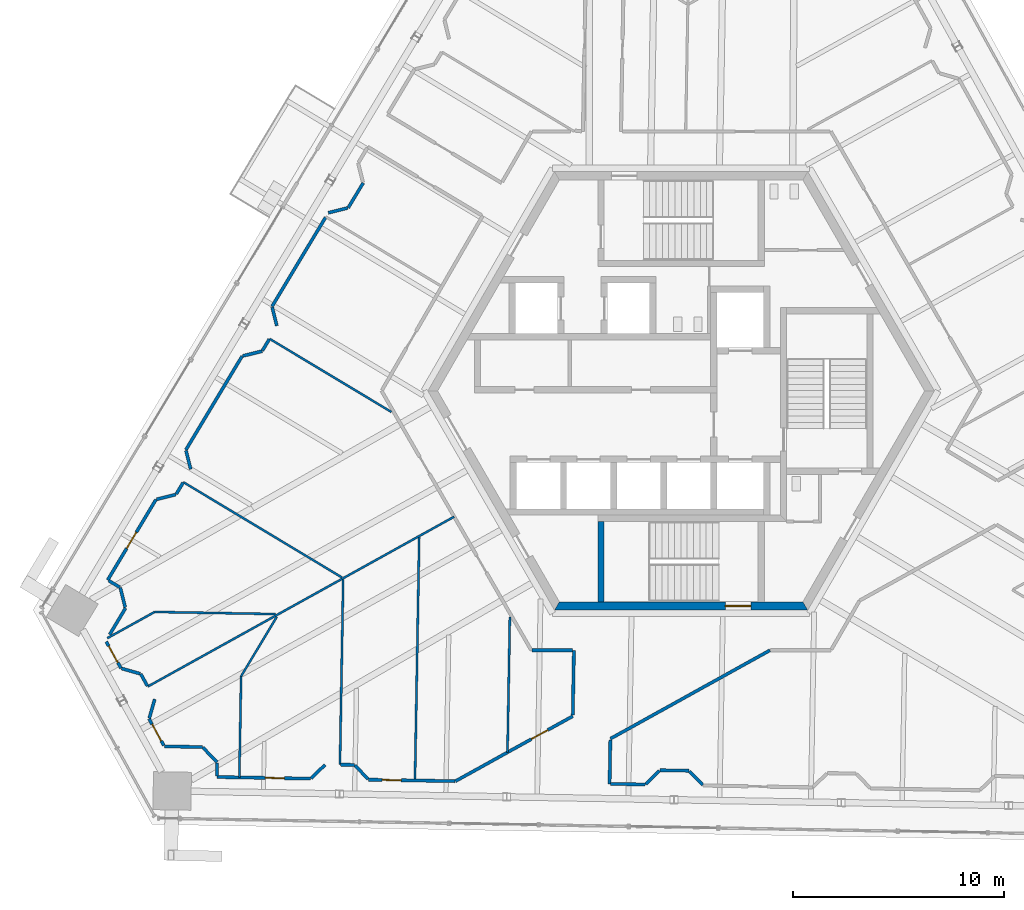
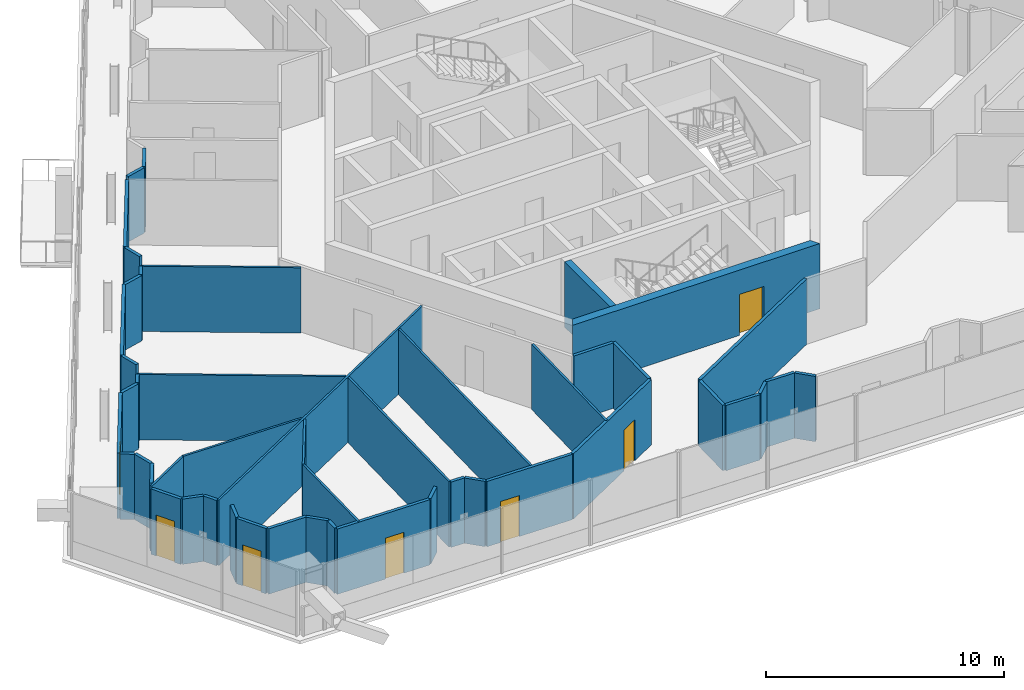
# One storey, part 15 of 24: 48 walls, 7 doors, 7 openings.
"""IFC4 building model written with IfcOpenShell, lengths in metres."""

import ifcopenshell
import ifcopenshell.guid

model = None  # the IFC model being written
_history = None  # IfcOwnerHistory: only IFC2X3 demands one
_inside = {}  # id of a spatial element -> (the spatial element, [elements in it])
_under = {}  # id of a project, library or spatial element -> (it, [spatial elements below it])
_declared = {}  # id of a project -> (the project, [libraries it declares])
_typed = {}  # id of a type object -> (the type object, [elements of that type])
_made_of = {}  # id of a material, layer set ... -> (it, [elements and type objects made of it])


def new_model(schema):
    """Start an empty IFC model of exactly this schema.

    Asked for "IFC4X3", IfcOpenShell would pick the latest addendum, in which some entities
    have other attributes; the version numbers below select the first issue.
    IFC2X3 requires an IfcOwnerHistory on every rooted entity: one is made here for all.
    """
    global model, _history
    if schema == "IFC4X3":
        model = ifcopenshell.file(schema_version=(4, 3, 0, 0))
    else:
        model = ifcopenshell.file(schema=schema)
    _inside.clear()
    _under.clear()
    _declared.clear()
    _typed.clear()
    _made_of.clear()
    _history = None
    if model.schema == "IFC2X3":
        org = make("IfcOrganization", Name="unknown")
        user = make(
            "IfcPersonAndOrganization",
            ThePerson=make("IfcPerson", FamilyName="unknown"),
            TheOrganization=org,
        )
        app = make(
            "IfcApplication",
            ApplicationDeveloper=org,
            Version="unknown",
            ApplicationFullName="unknown",
            ApplicationIdentifier="unknown",
        )
        _history = make(
            "IfcOwnerHistory",
            OwningUser=user,
            OwningApplication=app,
            ChangeAction="ADDED",
            CreationDate=0,
        )
    return model


def make(cls, **values):
    """One entity of the class cls with the attributes given. An attribute that is None is left unset."""
    return model.create_entity(
        cls, **{name: value for name, value in values.items() if value is not None}
    )


def rooted(cls, **values):
    """An entity with a GlobalId (a new one), such as an element, a storey or a relation."""
    return make(cls, GlobalId=ifcopenshell.guid.new(), OwnerHistory=_history, **values)


def si_unit(unit_type, name, prefix=None):
    """IfcSIUnit, for example si_unit("LENGTHUNIT", "METRE", prefix="MILLI")."""
    return make("IfcSIUnit", UnitType=unit_type, Prefix=prefix, Name=name)


def assignment(units):
    """IfcUnitAssignment: the units of a project."""
    return None if units is None else make("IfcUnitAssignment", Units=units)


def point(xyz):
    """IfcCartesianPoint."""
    return None if xyz is None else make("IfcCartesianPoint", Coordinates=xyz)


def direction(xyz):
    """IfcDirection."""
    return None if xyz is None else make("IfcDirection", DirectionRatios=xyz)


def frame(location, z_axis=None, x_axis=None):
    """IfcAxis2Placement3D, a coordinate frame: its origin and axes. An axis left out is left unset."""
    return make(
        "IfcAxis2Placement3D",
        Location=point(location),
        Axis=direction(z_axis),
        RefDirection=direction(x_axis),
    )


def frame_2d(location, x_axis=None):
    """IfcAxis2Placement2D, a coordinate frame in the plane: its origin and x axis."""
    return make(
        "IfcAxis2Placement2D", Location=point(location), RefDirection=direction(x_axis)
    )


def origin():
    """The frame at (0, 0, 0) with its axes left unset."""
    return frame((0.0, 0.0, 0.0))


def place(relative_to, where):
    """IfcLocalPlacement: puts the frame where relative to a parent placement (None: the world)."""
    return make(
        "IfcLocalPlacement", PlacementRelTo=relative_to, RelativePlacement=where
    )


def context(
    kind, dimensions, precision=None, world=None, true_north=None, identifier=None
):
    """IfcGeometricRepresentationContext, for example the 3D "Model" context."""
    return make(
        "IfcGeometricRepresentationContext",
        ContextIdentifier=identifier,
        ContextType=kind,
        CoordinateSpaceDimension=dimensions,
        Precision=precision,
        WorldCoordinateSystem=world,
        TrueNorth=true_north,
    )


def subcontext(parent, identifier, kind, view, scale=None):
    """IfcGeometricRepresentationSubContext, for example "Body" below "Model"."""
    return make(
        "IfcGeometricRepresentationSubContext",
        ContextIdentifier=identifier,
        ContextType=kind,
        ParentContext=parent,
        TargetScale=scale,
        TargetView=view,
    )


def project(units=None, contexts=None):
    """IfcProject with its units and contexts."""
    return rooted(
        "IfcProject",
        Name="project",
        RepresentationContexts=contexts,
        UnitsInContext=assignment(units),
    )


def spatial(cls, under=None, at=None, **own):
    """A site, building, storey or space (cls), placed at a placement, below another one or the project."""
    s = rooted(cls, ObjectPlacement=at, **own)
    if under is not None:
        _under.setdefault(under.id(), (under, []))[1].append(s)
    return s


def polyline(points):
    """IfcPolyline through the points."""
    return make("IfcPolyline", Points=[point(p) for p in points])


def profile(cls, at=None, kind="AREA", **sizes):
    """A parametric profile (cls). Its sizes go by their IFC names, for example OverallWidth=200.0."""
    return make(cls, ProfileType=kind, Position=at, **sizes)


def rectangle(**sizes):
    """IfcRectangleProfileDef."""
    return profile("IfcRectangleProfileDef", **sizes)


def outline(outer, holes=None, kind="AREA"):
    """IfcArbitraryClosedProfileDef: a profile drawn as a closed curve; with holes, ...WithVoids."""
    if holes is None:
        return make("IfcArbitraryClosedProfileDef", ProfileType=kind, OuterCurve=outer)
    return make(
        "IfcArbitraryProfileDefWithVoids",
        ProfileType=kind,
        OuterCurve=outer,
        InnerCurves=holes,
    )


def extrude(swept, where, along, depth):
    """IfcExtrudedAreaSolid: the profile swept, set in the frame where, extruded along a direction by depth."""
    return make(
        "IfcExtrudedAreaSolid",
        SweptArea=swept,
        Position=where,
        ExtrudedDirection=direction(along),
        Depth=depth,
    )


def shape(context_of_items, identifier, shape_type, items):
    """IfcShapeRepresentation: the items that make up one representation, for example the "Body"."""
    return make(
        "IfcShapeRepresentation",
        ContextOfItems=context_of_items,
        RepresentationIdentifier=identifier,
        RepresentationType=shape_type,
        Items=items,
    )


def source(mapping_origin, context_of_items, identifier, shape_type, items):
    """IfcRepresentationMap: a shape defined once, which mapped items show again and again."""
    return make(
        "IfcRepresentationMap",
        MappingOrigin=mapping_origin,
        MappedRepresentation=shape(context_of_items, identifier, shape_type, items),
    )


def transform(
    local_origin,
    x_axis=None,
    y_axis=None,
    z_axis=None,
    scale=None,
    scale2=None,
    scale3=None,
    uniform=True,
):
    """IfcCartesianTransformationOperator3D, or its non-uniform kind. x_axis, y_axis, z_axis: its Axis1, 2, 3."""
    if uniform:
        return make(
            "IfcCartesianTransformationOperator3D",
            Axis1=direction(x_axis),
            Axis2=direction(y_axis),
            LocalOrigin=point(local_origin),
            Scale=scale,
            Axis3=direction(z_axis),
        )
    return make(
        "IfcCartesianTransformationOperator3DnonUniform",
        Axis1=direction(x_axis),
        Axis2=direction(y_axis),
        LocalOrigin=point(local_origin),
        Scale=scale,
        Axis3=direction(z_axis),
        Scale2=scale2,
        Scale3=scale3,
    )


def mapped(mapping_source, mapping_target):
    """IfcMappedItem: shows the shape of a source again, moved by a transform."""
    return make(
        "IfcMappedItem", MappingSource=mapping_source, MappingTarget=mapping_target
    )


def material(Name=None, Category=None):
    """IfcMaterial."""
    return make("IfcMaterial", Name=Name, Category=Category)


def layer(
    of_material, thickness, ventilated=None, Name=None, Category=None, Priority=None
):
    """IfcMaterialLayer: one layer of a wall or slab, of a material (None: an air gap)."""
    return make(
        "IfcMaterialLayer",
        Material=of_material,
        LayerThickness=thickness,
        IsVentilated=ventilated,
        Name=Name,
        Category=Category,
        Priority=Priority,
    )


def layer_set(layers, Name=None):
    """IfcMaterialLayerSet."""
    return make("IfcMaterialLayerSet", MaterialLayers=layers, LayerSetName=Name)


def made_of(thing, what):
    """Note that an element or type object is made of a material, layer set ...; save() writes the relation."""
    if what is not None:
        _made_of.setdefault(what.id(), (what, []))[1].append(thing)
    return thing


def type_object(cls, material=None, **own):
    """A type object (cls), such as IfcWallType, which elements share."""
    return made_of(rooted(cls, **own), material)


def element(
    cls,
    number,
    at=None,
    inside=None,
    cuts=None,
    type_object=None,
    material=None,
    context=None,
    identifier="Body",
    shape_type=None,
    held_by="IfcProductDefinitionShape",
    body=None,
    shapes=None,
    **own,
):
    """One element of the class cls, such as IfcWall. Its Tag is "e" and its number.

    at: its placement. inside: the storey or other place that contains it. cuts: it is an
    opening in that element (IfcRelVoidsElement). A single representation is given by context,
    identifier, shape_type and body (its items); several are given by shapes. held_by: the class
    of the entity that holds the representations. save() writes the other relations.
    """
    e = rooted(cls, Tag="e%d" % number, ObjectPlacement=at, **own)
    if body is not None:
        shapes = [shape(context, identifier, shape_type, body)]
    if shapes is not None:
        e.Representation = make(held_by, Representations=shapes)
    if inside is not None:
        _inside.setdefault(inside.id(), (inside, []))[1].append(e)
    if cuts is not None:
        rooted(
            "IfcRelVoidsElement", RelatingBuildingElement=cuts, RelatedOpeningElement=e
        )
    if type_object is not None:
        _typed.setdefault(type_object.id(), (type_object, []))[1].append(e)
    return made_of(e, material)


def fill(opening, filler):
    """IfcRelFillsElement: the door or window that sits in an opening."""
    return rooted(
        "IfcRelFillsElement",
        RelatingOpeningElement=opening,
        RelatedBuildingElement=filler,
    )


def aggregate(whole, parts):
    """IfcRelAggregates: a whole, such as a stair, and the parts it consists of."""
    return rooted("IfcRelAggregates", RelatingObject=whole, RelatedObjects=parts)


def save(model, path):
    """Write the relations noted so far, then the file.

    IfcRelAggregates (storeys below a building ...), IfcRelContainedInSpatialStructure (elements
    in a storey), IfcRelDefinesByType, IfcRelAssociatesMaterial and IfcRelDeclares: one each for
    every whole, place, type object, material and project.
    """
    for whole, parts in _under.values():
        aggregate(whole, parts)
    for where, things in _inside.values():
        rooted(
            "IfcRelContainedInSpatialStructure",
            RelatedElements=things,
            RelatingStructure=where,
        )
    for kind, things in _typed.values():
        rooted("IfcRelDefinesByType", RelatedObjects=things, RelatingType=kind)
    for what, things in _made_of.values():
        rooted("IfcRelAssociatesMaterial", RelatedObjects=things, RelatingMaterial=what)
    for by, libraries in _declared.values():
        rooted("IfcRelDeclares", RelatingContext=by, RelatedDefinitions=libraries)
    model.write(path)


model = new_model("IFC4")

# Units and contexts
model_context = context("Model", 3, precision=1e-05, world=origin(), true_north=direction((0.0, 1.0)))
body_context = subcontext(model_context, "Body", "Model", "MODEL_VIEW")
ifc_project = project(units=[si_unit("LENGTHUNIT", "METRE"), si_unit("AREAUNIT", "SQUARE_METRE"), si_unit("VOLUMEUNIT", "CUBIC_METRE"), si_unit("PLANEANGLEUNIT", "RADIAN"), si_unit("MASSUNIT", "GRAM", prefix="KILO")], contexts=[model_context])

# Site, building, storey
site_placement = place(None, origin())
site = spatial("IfcSite", under=ifc_project, at=site_placement, CompositionType="ELEMENT")
building_placement = place(site_placement, origin())
building = spatial("IfcBuilding", under=site, at=building_placement, Name="Triune Harvest Tower", CompositionType="ELEMENT")
storey_placement = place(building_placement, frame((0.0, 0.0, 212.300048828125)))
storey = spatial("IfcBuildingStorey", under=building, at=storey_placement, Name="L55", CompositionType="ELEMENT", Elevation=212.300048828125)

# Walls
ifc_material_1 = material(Name="Gypsum board on steel studs", Category="steel")
ifc_layer_1 = layer(ifc_material_1, 0.14990234375)
ifc_layer_set_1 = layer_set([ifc_layer_1], Name="Gypsum board on steel studs")
wall_type_1 = type_object("IfcWallType", Name="Fire Partition 150 mm", PredefinedType="PARTITIONING", material=ifc_layer_set_1)
wall_1_placement = place(storey_placement, frame((-26.572509765625, -9.322509765625, 0.0), z_axis=(0.0, 0.0, 1.0), x_axis=(0.241880711837, -0.970305993613, 0.0)))
element("IfcWall", 1, at=wall_1_placement, inside=storey, type_object=wall_type_1, Name="Partition L55 001", PredefinedType="PARTITIONING", context=body_context, shape_type="SweptSolid", body=[
    extrude(rectangle(XDim=0.96484375, YDim=0.14990234375, at=frame_2d((0.482421875, 0.0))), origin(), (0.0, 0.0, 1.0), 3.349853515625),
])
wall_2_placement = place(storey_placement, frame((-25.605712890625, -13.409912109375, 0.0), z_axis=(0.0, 0.0, 1.0), x_axis=(0.485069483638, -0.874475612034, 0.0)))
element("IfcWall", 2, at=wall_2_placement, inside=storey, type_object=wall_type_1, Name="Partition L55 010", PredefinedType="PARTITIONING", context=body_context, shape_type="SweptSolid", body=[
    extrude(rectangle(XDim=0.65087890625, YDim=0.14990234375, at=frame_2d((0.325439453125, 0.0))), origin(), (0.0, 0.0, 1.0), 3.349853515625),
])
wall_3_placement = place(storey_placement, frame((-27.122314453125, -8.9921875, 0.0), z_axis=(0.0, 0.0, 1.0), x_axis=(0.857246100398, -0.514906907462, 0.0)))
element("IfcWall", 3, at=wall_3_placement, inside=storey, type_object=wall_type_1, Name="Partition L55 034", PredefinedType="PARTITIONING", context=body_context, shape_type="SweptSolid", body=[
    extrude(rectangle(XDim=0.611083984375, YDim=0.14990234375, at=frame_2d((0.3056640625, 0.0))), origin(), (0.0, 0.0, 1.0), 3.349853515625),
])

# Wall, opening, door
wall_4_placement = place(storey_placement, frame((-22.000244140625, -18.2958984375, 0.0), z_axis=(0.0, 0.0, 1.0), x_axis=(0.999847791934, -0.017446861163, 0.0)))
wall_4 = element("IfcWall", 4, at=wall_4_placement, inside=storey, type_object=wall_type_1, Name="Partition L55 055", PredefinedType="PARTITIONING", context=body_context, shape_type="SweptSolid", body=[
    extrude(rectangle(XDim=4.449951171875, YDim=0.14990234375, at=frame_2d((2.22509765625, 0.0))), origin(), (0.0, 0.0, 1.0), 3.349853515625),
])
opening_1_placement = place(wall_4_placement, frame((2.2998046875, 0.0, 0.0)))
opening_1 = element("IfcOpeningElement", 5, at=opening_1_placement, cuts=wall_4, Name="Opening L55-021", PredefinedType="OPENING", context=body_context, shape_type="SweptSolid", body=[
    extrude(rectangle(XDim=0.89990234375, YDim=2.10009765625, at=frame_2d((0.449951171875, 1.050048828125))), frame((0.0, 0.0849609375, 0.0), z_axis=(0.0, -1.0, 0.0), x_axis=(1.0, 0.0, 0.0)), (0.0, 0.0, 1.0), 0.169921875),
])
ifc_material_2 = material(Name="Timber and steel door set", Category="steel")
door_type_1 = type_object("IfcDoorType", Name="Single leaf door FD30 right hand 900 x 2100", OperationType="SINGLE_SWING_RIGHT", PredefinedType="DOOR", material=ifc_material_2)
door_1_placement = place(opening_1_placement, origin())
door_1 = element("IfcDoor", 6, at=door_1_placement, inside=storey, type_object=door_type_1, Name="Door L55-021 Office 55.21", OperationType="SINGLE_SWING_RIGHT", OverallHeight=2.10009765625, OverallWidth=0.89990234375, PredefinedType="DOOR", context=body_context, shape_type="SweptSolid", body=[
    extrude(rectangle(XDim=0.89990234375, YDim=2.10009765625, at=frame_2d((0.449951171875, 1.050048828125))), frame((0.0, 0.02490234375, 0.0), z_axis=(0.0, -1.0, 0.0), x_axis=(1.0, 0.0, 0.0)), (0.0, 0.0, 1.0), 0.050048828125),
])
fill(opening_1, door_1)

wall_5_placement = place(storey_placement, frame((-14.805419921875, -18.42138671875, 0.0), z_axis=(0.0, 0.0, 1.0), x_axis=(0.999847368815, -0.017471092501, 0.0)))
wall_5 = element("IfcWall", 7, at=wall_5_placement, inside=storey, type_object=wall_type_1, Name="Partition L55 056", PredefinedType="PARTITIONING", context=body_context, shape_type="SweptSolid", body=[
    extrude(rectangle(XDim=4.094482421875, YDim=0.14990234375, at=frame_2d((2.04736328125, 0.0))), origin(), (0.0, 0.0, 1.0), 3.349853515625),
])
opening_2_placement = place(wall_5_placement, frame((0.644287109375, 0.0, 0.0)))
opening_2 = element("IfcOpeningElement", 8, at=opening_2_placement, cuts=wall_5, Name="Opening L55-022", PredefinedType="OPENING", context=body_context, shape_type="SweptSolid", body=[
    extrude(rectangle(XDim=0.89990234375, YDim=2.10009765625, at=frame_2d((0.449951171875, 1.050048828125))), frame((0.0, 0.0849609375, 0.0), z_axis=(0.0, -1.0, 0.0), x_axis=(1.0, 0.0, 0.0)), (0.0, 0.0, 1.0), 0.169921875),
])
ifc_material_3 = material(Name="Timber and steel door set", Category="steel")
door_type_2 = type_object("IfcDoorType", Name="Single leaf door FD30 left hand 900 x 2100", OperationType="SINGLE_SWING_LEFT", PredefinedType="DOOR", material=ifc_material_3)
door_2_placement = place(opening_2_placement, origin())
door_2 = element("IfcDoor", 9, at=door_2_placement, inside=storey, type_object=door_type_2, Name="Door L55-022 Office 55.22", OperationType="SINGLE_SWING_LEFT", OverallHeight=2.10009765625, OverallWidth=0.89990234375, PredefinedType="DOOR", context=body_context, shape_type="SweptSolid", body=[
    extrude(rectangle(XDim=0.89990234375, YDim=2.10009765625, at=frame_2d((0.449951171875, 1.050048828125))), frame((0.0, 0.02490234375, 0.0), z_axis=(0.0, -1.0, 0.0), x_axis=(1.0, 0.0, 0.0)), (0.0, 0.0, 1.0), 0.050048828125),
])
fill(opening_2, door_2)

# Walls
wall_6_placement = place(storey_placement, frame((-3.339111328125, -18.62158203125, 0.0), z_axis=(0.0, 0.0, 1.0), x_axis=(0.999848332608, -0.01741584858, 0.0)))
element("IfcWall", 10, at=wall_6_placement, inside=storey, type_object=wall_type_1, Name="Partition L55 057", PredefinedType="PARTITIONING", context=body_context, shape_type="SweptSolid", body=[
    extrude(rectangle(XDim=1.64013671875, YDim=0.14990234375, at=frame_2d((0.820068359375, 0.0))), origin(), (0.0, 0.0, 1.0), 3.349853515625),
])
wall_7_placement = place(storey_placement, frame((-24.489501953125, -16.844482421875, 0.0), z_axis=(0.0, 0.0, 1.0), x_axis=(0.99984841762, -0.017410967315, 0.0)))
element("IfcWall", 11, at=wall_7_placement, inside=storey, type_object=wall_type_1, Name="Partition L55 065", PredefinedType="PARTITIONING", context=body_context, shape_type="SweptSolid", body=[
    extrude(rectangle(XDim=1.808837890625, YDim=0.14990234375, at=frame_2d((0.904296875, 0.0))), origin(), (0.0, 0.0, 1.0), 3.349853515625),
])
wall_8_placement = place(storey_placement, frame((-7.056884765625, -12.292236328125, 0.0), z_axis=(0.0, 0.0, 1.0), x_axis=(1.0, 0.0, 0.0)))
element("IfcWall", 12, at=wall_8_placement, inside=storey, type_object=wall_type_1, Name="Partition L55 071", PredefinedType="PARTITIONING", context=body_context, shape_type="SweptSolid", body=[
    extrude(rectangle(XDim=1.91796875, YDim=0.14990234375, at=frame_2d((0.958984375, 0.0))), origin(), (0.0, 0.0, 1.0), 3.349853515625),
])
wall_9_placement = place(storey_placement, frame((-3.351806640625, -16.482421875, 0.0), z_axis=(0.0, 0.0, 1.0), x_axis=(0.87462055946, 0.484808082615, 0.0)))
element("IfcWall", 13, at=wall_9_placement, inside=storey, type_object=wall_type_1, Name="Partition L55 084", PredefinedType="PARTITIONING", context=body_context, shape_type="SweptSolid", body=[
    extrude(rectangle(XDim=8.64306640625, YDim=0.14990234375, at=frame_2d((4.321533203125, 0.0))), origin(), (0.0, 0.0, 1.0), 3.349853515625),
])

# Wall, opening, door
wall_10_placement = place(storey_placement, frame((-10.692138671875, -18.493408203125, 0.0), z_axis=(0.0, 0.0, 1.0), x_axis=(0.874620729899, 0.484807775135, 0.0)))
wall_10 = element("IfcWall", 14, at=wall_10_placement, inside=storey, type_object=wall_type_1, Name="Partition L55 087", PredefinedType="PARTITIONING", context=body_context, shape_type="SweptSolid", body=[
    extrude(rectangle(XDim=6.355712890625, YDim=0.14990234375, at=frame_2d((3.177734375, 0.0))), origin(), (0.0, 0.0, 1.0), 3.349853515625),
])
opening_3_placement = place(wall_10_placement, frame((4.105712890625, 0.0, 0.0)))
opening_3 = element("IfcOpeningElement", 15, at=opening_3_placement, cuts=wall_10, Name="Opening L55-024", PredefinedType="OPENING", context=body_context, shape_type="SweptSolid", body=[
    extrude(rectangle(XDim=0.89990234375, YDim=2.10009765625, at=frame_2d((0.449951171875, 1.050048828125))), frame((0.0, 0.0849609375, 0.0), z_axis=(0.0, -1.0, 0.0), x_axis=(1.0, 0.0, 0.0)), (0.0, 0.0, 1.0), 0.169921875),
])
door_3_placement = place(opening_3_placement, origin())
door_3 = element("IfcDoor", 16, at=door_3_placement, inside=storey, type_object=door_type_1, Name="Door L55-024 Office 55.24", OperationType="SINGLE_SWING_RIGHT", OverallHeight=2.10009765625, OverallWidth=0.89990234375, PredefinedType="DOOR", context=body_context, shape_type="SweptSolid", body=[
    extrude(rectangle(XDim=0.89990234375, YDim=2.10009765625, at=frame_2d((0.449951171875, 1.050048828125))), frame((0.0, 0.02490234375, 0.0), z_axis=(0.0, -1.0, 0.0), x_axis=(1.0, 0.0, 0.0)), (0.0, 0.0, 1.0), 0.050048828125),
])
fill(opening_3, door_3)

# Walls
wall_11_placement = place(storey_placement, frame((-27.07958984375, -11.54638671875, 0.0), z_axis=(0.0, 0.0, 1.0), x_axis=(0.514962843609, 0.857212499735, 0.0)))
element("IfcWall", 17, at=wall_11_placement, inside=storey, type_object=wall_type_1, Name="Partition L55 107", PredefinedType="PARTITIONING", context=body_context, shape_type="SweptSolid", body=[
    extrude(rectangle(XDim=1.460205078125, YDim=0.14990234375, at=frame_2d((0.72998046875, 0.0))), origin(), (0.0, 0.0, 1.0), 3.349853515625),
])
wall_12_placement = place(storey_placement, frame((-19.385009765625, 4.001220703125, 0.0), z_axis=(0.0, 0.0, 1.0), x_axis=(0.515027595312, 0.857173597393, 0.0)))
element("IfcWall", 18, at=wall_12_placement, inside=storey, type_object=wall_type_1, Name="Partition L55 116", PredefinedType="PARTITIONING", context=body_context, shape_type="SweptSolid", body=[
    extrude(rectangle(XDim=4.927001953125, YDim=0.14990234375, at=frame_2d((2.46337890625, 0.0))), origin(), (0.0, 0.0, 1.0), 3.349853515625),
])
wall_13_placement = place(storey_placement, frame((-3.3896484375, -18.620849609375, 0.0), z_axis=(0.0, 0.0, 1.0), x_axis=(0.017532960355, 0.999846285837, 0.0)))
element("IfcWall", 19, at=wall_13_placement, inside=storey, type_object=wall_type_1, Name="Partition L55 135", PredefinedType="PARTITIONING", context=body_context, shape_type="SweptSolid", body=[
    extrude(rectangle(XDim=2.088623046875, YDim=0.14990234375, at=frame_2d((1.04443359375, 0.0))), origin(), (0.0, 0.0, 1.0), 3.349853515625),
])
wall_14_placement = place(storey_placement, frame((-5.132568359375, -15.362060546875, 0.0), z_axis=(0.0, 0.0, 1.0), x_axis=(0.017414250909, 0.999848360435, 0.0)))
element("IfcWall", 20, at=wall_14_placement, inside=storey, type_object=wall_type_1, Name="Partition L55 137", PredefinedType="PARTITIONING", context=body_context, shape_type="SweptSolid", body=[
    extrude(rectangle(XDim=3.0703125, YDim=0.14990234375, at=frame_2d((1.53515625, 0.0))), origin(), (0.0, 0.0, 1.0), 3.349853515625),
])
wall_15_placement = place(storey_placement, frame((-21.998291015625, -18.245849609375, 0.0), z_axis=(0.0, 0.0, 1.0), x_axis=(0.017293011182, 0.999850464702, 0.0)))
element("IfcWall", 21, at=wall_15_placement, inside=storey, type_object=wall_type_1, Name="Partition L55 143", PredefinedType="PARTITIONING", context=body_context, shape_type="SweptSolid", body=[
    extrude(rectangle(XDim=0.62109375, YDim=0.14990234375, at=frame_2d((0.310546875, 0.0))), origin(), (0.0, 0.0, 1.0), 3.349853515625),
])
ifc_material_4 = material(Name="Gypsum board on steel studs", Category="steel")
ifc_layer_2 = layer(ifc_material_4, 0.10009765625)
ifc_layer_set_2 = layer_set([ifc_layer_2], Name="Gypsum board on steel studs")
wall_type_2 = type_object("IfcWallType", Name="Partition 100 mm", PredefinedType="PARTITIONING", material=ifc_layer_set_2)
wall_16_placement = place(storey_placement, frame((-23.584716796875, -4.3251953125, 0.0), z_axis=(0.0, 0.0, 1.0), x_axis=(0.857170790958, -0.515032266104, 0.0)))
element("IfcWall", 22, at=wall_16_placement, inside=storey, type_object=wall_type_2, Name="Partition L55 035", PredefinedType="PARTITIONING", context=body_context, shape_type="SweptSolid", body=[
    extrude(rectangle(XDim=8.764892578125, YDim=0.10009765625, at=frame_2d((4.38232421875, 0.0))), origin(), (0.0, 0.0, 1.0), 3.349853515625),
])
wall_17_placement = place(storey_placement, frame((-19.501708984375, 2.4697265625, 0.0), z_axis=(0.0, 0.0, 1.0), x_axis=(0.85717289151, -0.515028770128, 0.0)))
element("IfcWall", 23, at=wall_17_placement, inside=storey, type_object=wall_type_2, Name="Partition L55 036", PredefinedType="PARTITIONING", context=body_context, shape_type="SweptSolid", body=[
    extrude(rectangle(XDim=6.734619140625, YDim=0.10009765625, at=frame_2d((3.3671875, 0.0))), origin(), (0.0, 0.0, 1.0), 3.349853515625),
])
wall_18_placement = place(storey_placement, frame((-24.94580078125, -10.474365234375, 0.0), z_axis=(0.0, 0.0, 1.0), x_axis=(0.999847388038, -0.017469992383, 0.0)))
element("IfcWall", 24, at=wall_18_placement, inside=storey, type_object=wall_type_2, Name="Partition L55 067", PredefinedType="PARTITIONING", context=body_context, shape_type="SweptSolid", body=[
    extrude(rectangle(XDim=5.7158203125, YDim=0.10009765625, at=frame_2d((2.85791015625, 0.0))), origin(), (0.0, 0.0, 1.0), 3.349853515625),
])
wall_19_placement = place(storey_placement, frame((-27.18798828125, -11.717041015625, 0.0), z_axis=(0.0, 0.0, 1.0), x_axis=(0.874612377581, 0.484822842885, 0.0)))
element("IfcWall", 25, at=wall_19_placement, inside=storey, type_object=wall_type_2, Name="Partition L55 092", PredefinedType="PARTITIONING", context=body_context, shape_type="SweptSolid", body=[
    extrude(rectangle(XDim=2.553466796875, YDim=0.10009765625, at=frame_2d((1.27685546875, 0.0))), origin(), (0.0, 0.0, 1.0), 3.349853515625),
])
wall_20_placement = place(storey_placement, frame((-20.85009765625, -13.520751953125, 0.0), z_axis=(0.0, 0.0, 1.0), x_axis=(0.515053063458, 0.857158294496, 0.0)))
element("IfcWall", 26, at=wall_20_placement, inside=storey, type_object=wall_type_2, Name="Partition L55 105", PredefinedType="PARTITIONING", context=body_context, shape_type="SweptSolid", body=[
    extrude(rectangle(XDim=3.284912109375, YDim=0.10009765625, at=frame_2d((1.642578125, 0.0))), origin(), (0.0, 0.0, 1.0), 3.349853515625),
])
wall_21_placement = place(storey_placement, frame((-8.227294921875, -17.127197265625, 0.0), z_axis=(0.0, 0.0, 1.0), x_axis=(0.017458926846, 0.999847581321, 0.0)))
element("IfcWall", 27, at=wall_21_placement, inside=storey, type_object=wall_type_2, Name="Partition L55 139", PredefinedType="PARTITIONING", context=body_context, shape_type="SweptSolid", body=[
    extrude(rectangle(XDim=6.404541015625, YDim=0.10009765625, at=frame_2d((3.2021484375, 0.0))), origin(), (0.0, 0.0, 1.0), 3.349853515625),
])
wall_22_placement = place(storey_placement, frame((-12.611328125, -18.459716796875, 0.0), z_axis=(0.0, 0.0, 1.0), x_axis=(0.017452272641, 0.999847697492, 0.0)))
element("IfcWall", 28, at=wall_22_placement, inside=storey, type_object=wall_type_2, Name="Partition L55 140", PredefinedType="PARTITIONING", context=body_context, shape_type="SweptSolid", body=[
    extrude(rectangle(XDim=11.512939453125, YDim=0.10009765625, at=frame_2d((5.75634765625, 0.0))), origin(), (0.0, 0.0, 1.0), 3.349853515625),
])
wall_23_placement = place(storey_placement, frame((-20.93359375, -18.314453125, 0.0), z_axis=(0.0, 0.0, 1.0), x_axis=(0.017467030246, 0.99984743979, 0.0)))
element("IfcWall", 29, at=wall_23_placement, inside=storey, type_object=wall_type_2, Name="Partition L55 142", PredefinedType="PARTITIONING", context=body_context, shape_type="SweptSolid", body=[
    extrude(rectangle(XDim=4.794189453125, YDim=0.10009765625, at=frame_2d((2.39697265625, 0.0))), origin(), (0.0, 0.0, 1.0), 3.349853515625),
])

# Wall, opening, door
ifc_material_5 = material(Name="Concrete 70 MPa", Category="concrete")
ifc_layer_3 = layer(ifc_material_5, 0.39990234375)
ifc_layer_set_3 = layer_set([ifc_layer_3], Name="Concrete 70 MPa")
wall_type_3 = type_object("IfcWallType", Name="Core wall 400", PredefinedType="SHEAR", material=ifc_layer_set_3)
shared_shape_1 = source(origin(), body_context, "Body", "SweptSolid", [
    extrude(outline(polyline([(-0.115478515625, -0.199951171875), (11.884521484375, -0.199951171875), (11.653564453125, 0.199951171875), (0.115478515625, 0.199951171875), (-0.115478515625, -0.199951171875)])), origin(), (0.0, 0.0, 1.0), 3.349853515625),
])
wall_24_placement = place(storey_placement, frame((-5.884521484375, -10.1923828125, 0.0), z_axis=(0.0, 0.0, 1.0), x_axis=(1.0, 0.0, 0.0)))
wall_24 = element("IfcWall", 30, at=wall_24_placement, inside=storey, type_object=wall_type_3, Name="Hexagon 4 wall", PredefinedType="SHEAR", context=body_context, shape_type="MappedRepresentation", body=[
    mapped(shared_shape_1, transform((0.0, 0.0, 0.0), scale=1.0)),
])
opening_4_placement = place(wall_24_placement, frame((7.984619140625, 0.0, 0.0)))
opening_4 = element("IfcOpeningElement", 31, at=opening_4_placement, cuts=wall_24, Name="Opening CD-S2P", PredefinedType="OPENING", context=body_context, shape_type="SweptSolid", body=[
    extrude(rectangle(XDim=1.199951171875, YDim=2.10009765625, at=frame_2d((0.60009765625, 1.050048828125))), frame((0.0, 0.2099609375, 0.0), z_axis=(0.0, -1.0, 0.0), x_axis=(1.0, 0.0, 0.0)), (0.0, 0.0, 1.0), 0.419921875),
])
ifc_material_6 = material(Name="Steel S235", Category="steel")
door_type_3 = type_object("IfcDoorType", Name="Stair door 1200 FD120", OperationType="SINGLE_SWING_LEFT", PredefinedType="DOOR", material=ifc_material_6)
door_4_placement = place(opening_4_placement, frame((1.199951171875, 0.0, 0.0), z_axis=(0.0, 0.0, 1.0), x_axis=(-1.0, 0.0, 0.0)))
door_4 = element("IfcDoor", 32, at=door_4_placement, inside=storey, type_object=door_type_3, Name="Door CD-S2P", OperationType="SINGLE_SWING_RIGHT", OverallHeight=2.10009765625, OverallWidth=1.199951171875, PredefinedType="DOOR", context=body_context, shape_type="SweptSolid", body=[
    extrude(rectangle(XDim=1.199951171875, YDim=2.10009765625, at=frame_2d((0.60009765625, 1.050048828125))), frame((0.0, 0.02490234375, 0.0), z_axis=(0.0, -1.0, 0.0), x_axis=(1.0, 0.0, 0.0)), (0.0, 0.0, 1.0), 0.050048828125),
])
fill(opening_4, door_4)

# Walls
ifc_material_7 = material(Name="Concrete 70 MPa", Category="concrete")
ifc_layer_4 = layer(ifc_material_7, 0.300048828125)
ifc_layer_set_4 = layer_set([ifc_layer_4], Name="Concrete 70 MPa")
wall_type_4 = type_object("IfcWallType", Name="Core wall 300", PredefinedType="SHEAR", material=ifc_layer_set_4)
shared_shape_2 = source(origin(), body_context, "Body", "SweptSolid", [
    extrude(outline(polyline([(3.800048828125, -0.14990234375), (-0.00439453125, -0.14990234375), (-0.00439453125, 0.14990234375), (3.800048828125, 0.14990234375), (3.800048828125, -0.14990234375)])), origin(), (0.0, 0.0, 1.0), 3.349853515625),
])
wall_25_placement = place(storey_placement, frame((-3.800048828125, -9.989990234375, 0.0), z_axis=(0.0, 0.0, 1.0), x_axis=(0.0, 1.0, 0.0)))
element("IfcWall", 33, at=wall_25_placement, inside=storey, type_object=wall_type_4, Name="Stair s west wall", PredefinedType="SHEAR", context=body_context, shape_type="MappedRepresentation", body=[
    mapped(shared_shape_2, transform((0.0, 0.0, 0.0), scale=1.0)),
])
shared_shape_3 = source(origin(), body_context, "Body", "SweptSolid", [
    extrude(rectangle(XDim=0.9140625, YDim=0.14990234375, at=frame_2d((0.45703125, 0.0))), origin(), (0.0, 0.0, 1.0), 3.349853515625),
])
for number, where, z_axis, x_axis, name in (
    (34, (-23.46044921875, -2.822509765625, 0.0), (0.0, 0.0, 1.0), (0.241718550758, -0.970346403208, 0.0), "Partition L55 002"),
    (35, (-19.377685546875, 3.972412109375, 0.0), (0.0, 0.0, 1.0), (0.241970013086, -0.970283727972, 0.0), "Partition L55 003"),
    (36, (-15.460693359375, -17.742431640625, 0.0), (0.0, 0.0, 1.0), (0.694713669559, -0.719286394511, 0.0), "Partition L55 029"),
    (37, (0.39111328125, -18.01904296875, 0.0), (0.0, 0.0, 1.0), (0.694713669559, -0.719286394511, 0.0), "Partition L55 030"),
    (38, (-26.5126953125, -13.150390625, 0.0), (0.0, 0.0, 1.0), (0.961332200512, -0.275391358357, 0.0), "Partition L55 048"),
    (39, (-1.677490234375, -18.62939453125, 0.0), (0.0, 0.0, 1.0), (0.719286394511, 0.694713669559, 0.0), "Partition L55 099"),
    (40, (-17.529541015625, -18.352783203125, 0.0), (0.0, 0.0, 1.0), (0.719286394511, 0.694713669559, 0.0), "Partition L55 100"),
):
    element("IfcWall", number, at=place(storey_placement, frame(where, z_axis=z_axis, x_axis=x_axis)), inside=storey, type_object=wall_type_1, Name=name, PredefinedType="PARTITIONING", context=body_context, shape_type="MappedRepresentation", body=[
        mapped(shared_shape_3, transform((0.0, 0.0, 0.0), scale=1.0)),
    ])
shared_shape_4 = source(origin(), body_context, "Body", "SweptSolid", [
    extrude(rectangle(XDim=0.944091796875, YDim=0.14990234375, at=frame_2d((0.47216796875, 0.0))), origin(), (0.0, 0.0, 1.0), 3.349853515625),
])
for number, where, z_axis, x_axis, name in (
    (41, (-24.853271484375, -5.140380859375, 0.0), (0.0, 0.0, 1.0), (0.970324777347, 0.241805348299, 0.0), "Partition L55 076"),
    (42, (-20.7705078125, 1.654541015625, 0.0), (0.0, 0.0, 1.0), (0.970324777347, 0.241805348299, 0.0), "Partition L55 077"),
    (43, (-16.716552734375, 8.442138671875, 0.0), (0.0, 0.0, 1.0), (0.970264071749, 0.242048819605, 0.0), "Partition L55 078"),
    (44, (-25.20166015625, -15.515380859375, 0.0), (0.0, 0.0, 1.0), (0.275677357934, 0.961250224615, 0.0), "Partition L55 131"),
):
    element("IfcWall", number, at=place(storey_placement, frame(where, z_axis=z_axis, x_axis=x_axis)), inside=storey, type_object=wall_type_1, Name=name, PredefinedType="PARTITIONING", context=body_context, shape_type="MappedRepresentation", body=[
        mapped(shared_shape_4, transform((0.0, 0.0, 0.0), scale=1.0)),
    ])

# Wall, opening, door
shared_shape_5 = source(origin(), body_context, "Body", "SweptSolid", [
    extrude(rectangle(XDim=1.437255859375, YDim=0.14990234375, at=frame_2d((0.71875, 0.0))), origin(), (0.0, 0.0, 1.0), 3.349853515625),
])
wall_26_placement = place(storey_placement, frame((-27.23876953125, -11.88427734375, 0.0), z_axis=(0.0, 0.0, 1.0), x_axis=(0.484791778739, -0.874629596611, 0.0)))
wall_26 = element("IfcWall", 45, at=wall_26_placement, inside=storey, type_object=wall_type_1, Name="Partition L55 008", PredefinedType="PARTITIONING", context=body_context, shape_type="MappedRepresentation", body=[
    mapped(shared_shape_5, transform((0.0, 0.0, 0.0), scale=1.0)),
])
opening_5_placement = place(wall_26_placement, frame((0.238037109375, 0.0, 0.0)))
opening_5 = element("IfcOpeningElement", 46, at=opening_5_placement, cuts=wall_26, Name="Opening L55-019", PredefinedType="OPENING", context=body_context, shape_type="SweptSolid", body=[
    extrude(rectangle(XDim=0.89990234375, YDim=2.10009765625, at=frame_2d((0.449951171875, 1.050048828125))), frame((0.0, 0.0849609375, 0.0), z_axis=(0.0, -1.0, 0.0), x_axis=(1.0, 0.0, 0.0)), (0.0, 0.0, 1.0), 0.169921875),
])
door_5_placement = place(opening_5_placement, origin())
door_5 = element("IfcDoor", 47, at=door_5_placement, inside=storey, type_object=door_type_2, Name="Door L55-019 Office 55.19", OperationType="SINGLE_SWING_LEFT", OverallHeight=2.10009765625, OverallWidth=0.89990234375, PredefinedType="DOOR", context=body_context, shape_type="SweptSolid", body=[
    extrude(rectangle(XDim=0.89990234375, YDim=2.10009765625, at=frame_2d((0.449951171875, 1.050048828125))), frame((0.0, 0.02490234375, 0.0), z_axis=(0.0, -1.0, 0.0), x_axis=(1.0, 0.0, 0.0)), (0.0, 0.0, 1.0), 0.050048828125),
])
fill(opening_5, door_5)

wall_27_placement = place(storey_placement, frame((-25.20947265625, -15.544921875, 0.0), z_axis=(0.0, 0.0, 1.0), x_axis=(0.484791778739, -0.874629596611, 0.0)))
wall_27 = element("IfcWall", 48, at=wall_27_placement, inside=storey, type_object=wall_type_1, Name="Partition L55 009", PredefinedType="PARTITIONING", context=body_context, shape_type="MappedRepresentation", body=[
    mapped(shared_shape_5, transform((0.0, 0.0, 0.0), scale=1.0)),
])
opening_6_placement = place(wall_27_placement, frame((0.286376953125, 0.0, 0.0)))
opening_6 = element("IfcOpeningElement", 49, at=opening_6_placement, cuts=wall_27, Name="Opening L55-020", PredefinedType="OPENING", context=body_context, shape_type="SweptSolid", body=[
    extrude(rectangle(XDim=0.89990234375, YDim=2.10009765625, at=frame_2d((0.449951171875, 1.050048828125))), frame((0.0, 0.0849609375, 0.0), z_axis=(0.0, -1.0, 0.0), x_axis=(1.0, 0.0, 0.0)), (0.0, 0.0, 1.0), 0.169921875),
])
door_6_placement = place(opening_6_placement, origin())
door_6 = element("IfcDoor", 50, at=door_6_placement, inside=storey, type_object=door_type_2, Name="Door L55-020 Open Office 55.20", OperationType="SINGLE_SWING_LEFT", OverallHeight=2.10009765625, OverallWidth=0.89990234375, PredefinedType="DOOR", context=body_context, shape_type="SweptSolid", body=[
    extrude(rectangle(XDim=0.89990234375, YDim=2.10009765625, at=frame_2d((0.449951171875, 1.050048828125))), frame((0.0, 0.02490234375, 0.0), z_axis=(0.0, -1.0, 0.0), x_axis=(1.0, 0.0, 0.0)), (0.0, 0.0, 1.0), 0.050048828125),
])
fill(opening_6, door_6)

# Wall
shared_shape_6 = source(origin(), body_context, "Body", "SweptSolid", [
    extrude(rectangle(XDim=5.1806640625, YDim=0.14990234375, at=frame_2d((2.59033203125, 0.0))), origin(), (0.0, 0.0, 1.0), 3.349853515625),
])
wall_28_placement = place(storey_placement, frame((-23.4677734375, -2.79345703125, 0.0), z_axis=(0.0, 0.0, 1.0), x_axis=(0.515036212107, 0.857168419984, 0.0)))
element("IfcWall", 51, at=wall_28_placement, inside=storey, type_object=wall_type_1, Name="Partition L55 115", PredefinedType="PARTITIONING", context=body_context, shape_type="MappedRepresentation", body=[
    mapped(shared_shape_6, transform((0.0, 0.0, 0.0), scale=1.0)),
])

# Wall, opening, door
shared_shape_7 = source(origin(), body_context, "Body", "SweptSolid", [
    extrude(rectangle(XDim=4.448974609375, YDim=0.14990234375, at=frame_2d((2.224609375, 0.0))), origin(), (0.0, 0.0, 1.0), 3.349853515625),
])
wall_29_placement = place(storey_placement, frame((-27.173583984375, -8.961181640625, 0.0), z_axis=(0.0, 0.0, 1.0), x_axis=(0.515020218284, 0.857178029792, 0.0)))
wall_29 = element("IfcWall", 52, at=wall_29_placement, inside=storey, type_object=wall_type_1, Name="Partition L55 114", PredefinedType="PARTITIONING", context=body_context, shape_type="MappedRepresentation", body=[
    mapped(shared_shape_7, transform((0.0, 0.0, 0.0), scale=1.0)),
])
opening_7_placement = place(wall_29_placement, frame((1.75, 0.0, 0.0)))
opening_7 = element("IfcOpeningElement", 53, at=opening_7_placement, cuts=wall_29, Name="Opening L55-018", PredefinedType="OPENING", context=body_context, shape_type="SweptSolid", body=[
    extrude(rectangle(XDim=0.89990234375, YDim=2.10009765625, at=frame_2d((0.449951171875, 1.050048828125))), frame((0.0, 0.0849609375, 0.0), z_axis=(0.0, -1.0, 0.0), x_axis=(1.0, 0.0, 0.0)), (0.0, 0.0, 1.0), 0.169921875),
])
door_7_placement = place(opening_7_placement, origin())
door_7 = element("IfcDoor", 54, at=door_7_placement, inside=storey, type_object=door_type_1, Name="Door L55-018 Project Room 55.18", OperationType="SINGLE_SWING_RIGHT", OverallHeight=2.10009765625, OverallWidth=0.89990234375, PredefinedType="DOOR", context=body_context, shape_type="SweptSolid", body=[
    extrude(rectangle(XDim=0.89990234375, YDim=2.10009765625, at=frame_2d((0.449951171875, 1.050048828125))), frame((0.0, 0.02490234375, 0.0), z_axis=(0.0, -1.0, 0.0), x_axis=(1.0, 0.0, 0.0)), (0.0, 0.0, 1.0), 0.050048828125),
])
fill(opening_7, door_7)

# Walls
shared_shape_8 = source(origin(), body_context, "Body", "SweptSolid", [
    extrude(rectangle(XDim=0.96826171875, YDim=0.14990234375, at=frame_2d((0.484130859375, 0.0))), origin(), (0.0, 0.0, 1.0), 3.349853515625),
])
wall_30_placement = place(storey_placement, frame((-22.65966796875, -16.898193359375, 0.0), z_axis=(0.0, 0.0, 1.0), x_axis=(0.694644008957, -0.719353668803, 0.0)))
element("IfcWall", 55, at=wall_30_placement, inside=storey, type_object=wall_type_1, Name="Partition L55 028", PredefinedType="PARTITIONING", context=body_context, shape_type="MappedRepresentation", body=[
    mapped(shared_shape_8, transform((0.0, 0.0, 0.0), scale=1.0)),
])
shared_shape_9 = source(origin(), body_context, "Body", "SweptSolid", [
    extrude(rectangle(XDim=0.658935546875, YDim=0.14990234375, at=frame_2d((0.32958984375, 0.0))), origin(), (0.0, 0.0, 1.0), 3.349853515625),
])
wall_31_placement = place(storey_placement, frame((-16.1396484375, -17.710205078125, 0.0), z_axis=(0.0, 0.0, 1.0), x_axis=(0.999848413267, -0.017411217274, 0.0)))
element("IfcWall", 56, at=wall_31_placement, inside=storey, type_object=wall_type_1, Name="Partition L55 061", PredefinedType="PARTITIONING", context=body_context, shape_type="MappedRepresentation", body=[
    mapped(shared_shape_9, transform((0.0, 0.0, 0.0), scale=1.0)),
])
shared_shape_10 = source(origin(), body_context, "Body", "SweptSolid", [
    extrude(rectangle(XDim=1.368896484375, YDim=0.14990234375, at=frame_2d((0.6845703125, 0.0))), origin(), (0.0, 0.0, 1.0), 3.349853515625),
])
for number, where, z_axis, x_axis, name in (
    (57, (-0.998779296875, -17.97412109375, 0.0), (0.0, 0.0, 1.0), (0.999850338607, -0.017300300186, 0.0), "Partition L55 062"),
    (58, (-15.771484375, 8.677978515625, 0.0), (0.0, 0.0, 1.0), (0.515072651244, 0.857146524196, 0.0), "Partition L55 111"),
):
    element("IfcWall", number, at=place(storey_placement, frame(where, z_axis=z_axis, x_axis=x_axis)), inside=storey, type_object=wall_type_1, Name=name, PredefinedType="PARTITIONING", context=body_context, shape_type="MappedRepresentation", body=[
        mapped(shared_shape_10, transform((0.0, 0.0, 0.0), scale=1.0)),
    ])
shared_shape_11 = source(origin(), body_context, "Body", "SweptSolid", [
    extrude(rectangle(XDim=16.602294921875, YDim=0.10009765625, at=frame_2d((8.30126953125, 0.0))), origin(), (0.0, 0.0, 1.0), 3.349853515625),
])
wall_32_placement = place(storey_placement, frame((-25.273193359375, -14.009521484375, 0.0), z_axis=(0.0, 0.0, 1.0), x_axis=(0.874614002576, 0.484819911408, 0.0)))
element("IfcWall", 59, at=wall_32_placement, inside=storey, type_object=wall_type_2, Name="Partition L55 090", PredefinedType="PARTITIONING", context=body_context, shape_type="MappedRepresentation", body=[
    mapped(shared_shape_11, transform((0.0, 0.0, 0.0), scale=1.0)),
])
shared_shape_12 = source(origin(), body_context, "Body", "SweptSolid", [
    extrude(rectangle(XDim=8.7646484375, YDim=0.10009765625, at=frame_2d((4.38232421875, 0.0))), origin(), (0.0, 0.0, 1.0), 3.349853515625),
])
wall_33_placement = place(storey_placement, frame((-16.166015625, -17.708984375, 0.0), z_axis=(0.0, 0.0, 1.0), x_axis=(0.017464949646, 0.999847476135, 0.0)))
element("IfcWall", 60, at=wall_33_placement, inside=storey, type_object=wall_type_2, Name="Partition L55 141", PredefinedType="PARTITIONING", context=body_context, shape_type="MappedRepresentation", body=[
    mapped(shared_shape_12, transform((0.0, 0.0, 0.0), scale=1.0)),
])
shared_shape_13 = source(origin(), body_context, "Body", "SweptSolid", [
    extrude(rectangle(XDim=0.630126953125, YDim=0.14990234375, at=frame_2d((0.31494140625, 0.0))), origin(), (0.0, 0.0, 1.0), 3.349853515625),
])
for number, where, z_axis, x_axis, name in (
    (61, (-23.921875, -4.88671875, 0.0), (0.0, 0.0, 1.0), (0.515008552008, 0.857185039159, 0.0), "Partition L55 109"),
    (62, (-19.839111328125, 1.908203125, 0.0), (0.0, 0.0, 1.0), (0.515008552008, 0.857185039159, 0.0), "Partition L55 110"),
):
    element("IfcWall", number, at=place(storey_placement, frame(where, z_axis=z_axis, x_axis=x_axis)), inside=storey, type_object=wall_type_1, Name=name, PredefinedType="PARTITIONING", context=body_context, shape_type="MappedRepresentation", body=[
        mapped(shared_shape_13, transform((0.0, 0.0, 0.0), scale=1.0)),
    ])

save(model, "model.ifc")
